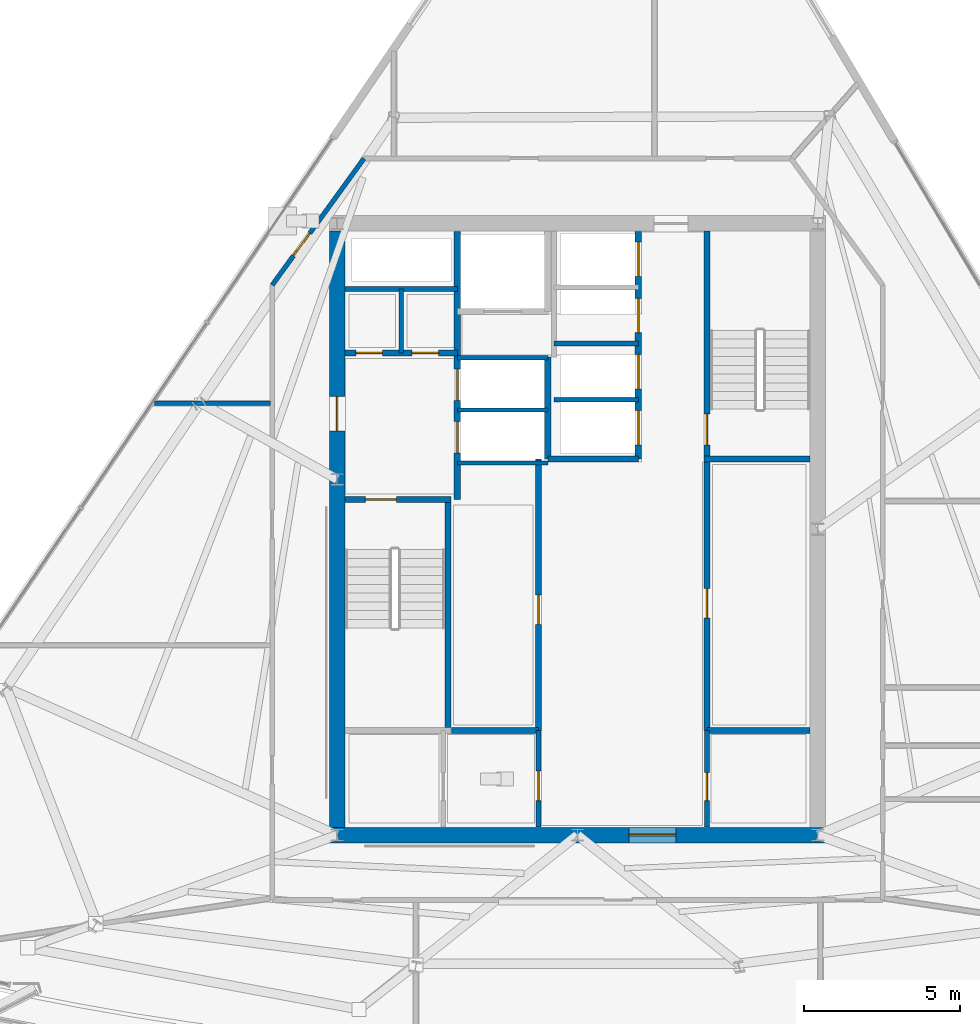
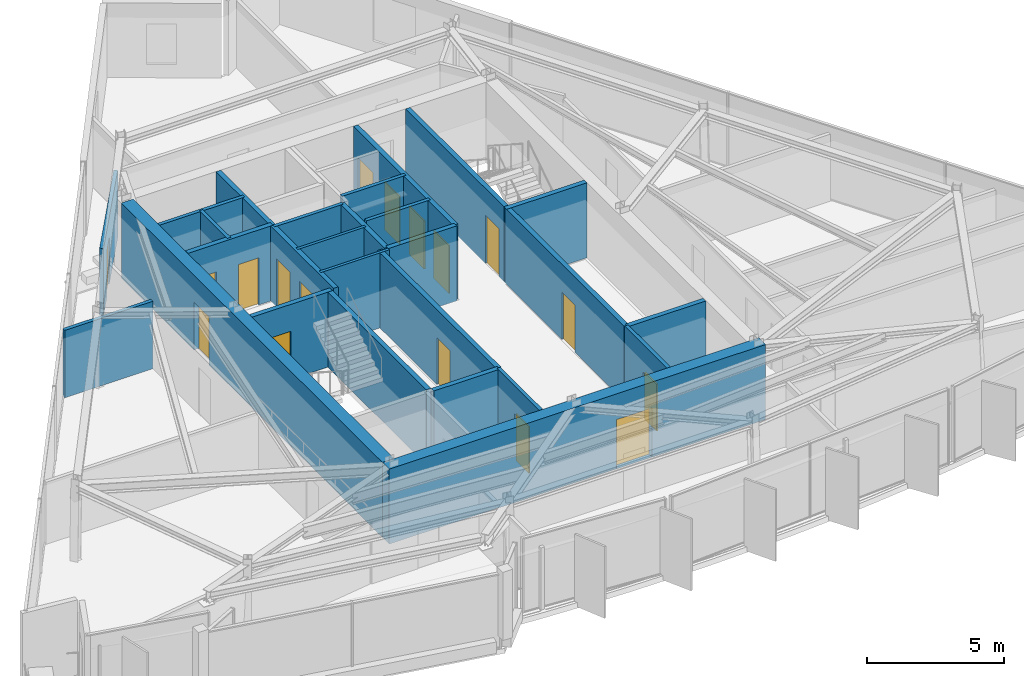
# One storey, part 7 of 13: 26 walls, 17 doors, 17 openings.
"""IFC4 building model written with IfcOpenShell, lengths in metres."""

from ifc_helpers import new_model, si_unit, direction, frame, frame_2d, origin, place, context, subcontext, project, spatial, rectangle, extrude, material, layer, layer_set, type_object, element, fill, save


model = new_model("IFC4")

# Units and contexts
model_context = context("Model", 3, precision=1e-05, world=origin(), true_north=direction((0.0, 1.0)))
body_context = subcontext(model_context, "Body", "Model", "MODEL_VIEW")
ifc_project = project(units=[si_unit("LENGTHUNIT", "METRE"), si_unit("AREAUNIT", "SQUARE_METRE"), si_unit("VOLUMEUNIT", "CUBIC_METRE"), si_unit("PLANEANGLEUNIT", "RADIAN"), si_unit("MASSUNIT", "GRAM", prefix="KILO")], contexts=[model_context])

# Site, building, storey
site_placement = place(None, origin())
site = spatial("IfcSite", under=ifc_project, at=site_placement, CompositionType="ELEMENT")
building_placement = place(site_placement, origin())
building = spatial("IfcBuilding", under=site, at=building_placement, Name="Savorim Split Tower", CompositionType="ELEMENT")
storey_placement = place(building_placement, frame((0.0, 0.0, 272.39990234375)))
storey = spatial("IfcBuildingStorey", under=building, at=storey_placement, Name="L72", CompositionType="ELEMENT", Elevation=272.39990234375)

# Wall, opening, door
ifc_material_1 = material(Name="Concrete C60/75", Category="concrete")
ifc_layer_1 = layer(ifc_material_1, 0.5)
ifc_layer_set_1 = layer_set([ifc_layer_1], Name="WAL-COR-SH500")
wall_type_1 = type_object("IfcWallType", Name="WAL-COR-SH500", PredefinedType="SHEAR", material=ifc_layer_set_1)
wall_1_placement = place(storey_placement, frame((-7.949951171875, -9.39990234375, 0.0), z_axis=(0.0, 0.0, 1.0), x_axis=(1.0, 0.0, 0.0)))
wall_1 = element("IfcWall", 1, at=wall_1_placement, inside=storey, type_object=wall_type_1, Name="L72 Offset Core South Shear Wall", PredefinedType="SHEAR", context=body_context, shape_type="SweptSolid", body=[
    extrude(rectangle(XDim=15.89990234375, YDim=0.5, at=frame_2d((7.949951171875, 0.0))), origin(), (0.0, 0.0, 1.0), 3.35009765625),
])
opening_1_placement = place(wall_1_placement, frame((9.60009765625, 0.0, 0.0)))
opening_1 = element("IfcOpeningElement", 2, at=opening_1_placement, cuts=wall_1, Name="Opening DI-02", PredefinedType="OPENING", context=body_context, shape_type="SweptSolid", body=[
    extrude(rectangle(XDim=1.5, YDim=2.199951171875, at=frame_2d((0.75, 1.10009765625))), frame((0.0, 0.260009765625, 0.0), z_axis=(0.0, -1.0, 0.0), x_axis=(1.0, 0.0, 0.0)), (0.0, 0.0, 1.0), 0.52001953125),
])
ifc_material_2 = material(Name="Timber Fire Door Leaf", Category="wood")
door_type_1 = type_object("IfcDoorType", Name="DOR-DBL-1500", OperationType="NOTDEFINED", PredefinedType="DOOR", material=ifc_material_2)
door_1_placement = place(opening_1_placement, origin())
door_1 = element("IfcDoor", 3, at=door_1_placement, inside=storey, type_object=door_type_1, Name="DOR-L72-COR-LLOB - L72 Lift Lobby Main Rated Door", OperationType="DOUBLE_DOOR_SINGLE_SWING", OverallHeight=2.199951171875, OverallWidth=1.5, PredefinedType="DOOR", context=body_context, shape_type="SweptSolid", body=[
    extrude(rectangle(XDim=1.5, YDim=2.199951171875, at=frame_2d((0.75, 1.10009765625))), frame((0.0, 0.02490234375, 0.0), z_axis=(0.0, -1.0, 0.0), x_axis=(1.0, 0.0, 0.0)), (0.0, 0.0, 1.0), 0.050048828125),
])
fill(opening_1, door_1)

wall_2_placement = place(storey_placement, frame((-7.699951171875, -9.14990234375, 0.0), z_axis=(0.0, 0.0, 1.0), x_axis=(0.0, 1.0, 0.0)))
wall_2 = element("IfcWall", 4, at=wall_2_placement, inside=storey, type_object=wall_type_1, Name="L72 Offset Core West Shear Wall", PredefinedType="SHEAR", context=body_context, shape_type="SweptSolid", body=[
    extrude(rectangle(XDim=19.099853515625, YDim=0.5, at=frame_2d((9.5498046875, 0.0))), origin(), (0.0, 0.0, 1.0), 3.35009765625),
])
opening_2_placement = place(wall_2_placement, frame((12.699951171875, 0.0, 0.0)))
opening_2 = element("IfcOpeningElement", 5, at=opening_2_placement, cuts=wall_2, Name="Opening DI-03", PredefinedType="OPENING", context=body_context, shape_type="SweptSolid", body=[
    extrude(rectangle(XDim=1.10009765625, YDim=2.14990234375, at=frame_2d((0.550048828125, 1.074951171875))), frame((0.0, 0.260009765625, 0.0), z_axis=(0.0, -1.0, 0.0), x_axis=(1.0, 0.0, 0.0)), (0.0, 0.0, 1.0), 0.52001953125),
])
door_type_2 = type_object("IfcDoorType", Name="DOR-FIR-1100", OperationType="NOTDEFINED", PredefinedType="DOOR", material=ifc_material_2)
door_2_placement = place(opening_2_placement, origin())
door_2 = element("IfcDoor", 6, at=door_2_placement, inside=storey, type_object=door_type_2, Name="DOR-L72-COR-FFLOB - L72 Firefighting Lobby Corridor Door", OperationType="SINGLE_SWING_RIGHT", OverallHeight=2.14990234375, OverallWidth=1.10009765625, PredefinedType="DOOR", context=body_context, shape_type="SweptSolid", body=[
    extrude(rectangle(XDim=1.10009765625, YDim=2.14990234375, at=frame_2d((0.550048828125, 1.074951171875))), frame((0.0, 0.02490234375, 0.0), z_axis=(0.0, -1.0, 0.0), x_axis=(1.0, 0.0, 0.0)), (0.0, 0.0, 1.0), 0.050048828125),
])
fill(opening_2, door_2)

ifc_material_3 = material(Name="Concrete C50/60", Category="concrete")
ifc_layer_2 = layer(ifc_material_3, 0.199951171875)
ifc_layer_set_2 = layer_set([ifc_layer_2], Name="WAL-INT-RC200")
wall_type_2 = type_object("IfcWallType", Name="WAL-INT-RC200", PredefinedType="SOLIDWALL", material=ifc_layer_set_2)
wall_3_placement = place(storey_placement, frame((-7.449951171875, 1.35009765625, 0.0), z_axis=(0.0, 0.0, 1.0), x_axis=(1.0, 0.0, 0.0)))
wall_3 = element("IfcWall", 7, at=wall_3_placement, inside=storey, type_object=wall_type_2, Name="L72 Structural Shaft Wall W-L72-CR01", PredefinedType="SOLIDWALL", context=body_context, shape_type="SweptSolid", body=[
    extrude(rectangle(XDim=3.39990234375, YDim=0.199951171875, at=frame_2d((1.699951171875, 0.0))), origin(), (0.0, 0.0, 1.0), 3.35009765625),
])
opening_3_placement = place(wall_3_placement, frame((0.64990234375, 0.0, 0.0)))
opening_3 = element("IfcOpeningElement", 8, at=opening_3_placement, cuts=wall_3, Name="Opening DI-04", PredefinedType="OPENING", context=body_context, shape_type="SweptSolid", body=[
    extrude(rectangle(XDim=1.0, YDim=2.14990234375, at=frame_2d((0.5, 1.074951171875))), frame((0.0, 0.10986328125, 0.0), z_axis=(0.0, -1.0, 0.0), x_axis=(1.0, 0.0, 0.0)), (0.0, 0.0, 1.0), 0.219970703125),
])
door_type_3 = type_object("IfcDoorType", Name="DOR-FIR-1000", OperationType="NOTDEFINED", PredefinedType="DOOR", material=ifc_material_2)
door_3_placement = place(opening_3_placement, origin())
door_3 = element("IfcDoor", 9, at=door_3_placement, inside=storey, type_object=door_type_3, Name="DR-L72-ST1 - L72 Stair ST-1 Enclosure Door", OperationType="SINGLE_SWING_LEFT", OverallHeight=2.14990234375, OverallWidth=1.0, PredefinedType="DOOR", context=body_context, shape_type="SweptSolid", body=[
    extrude(rectangle(XDim=1.0, YDim=2.14990234375, at=frame_2d((0.5, 1.074951171875))), frame((0.0, 0.02490234375, 0.0), z_axis=(0.0, -1.0, 0.0), x_axis=(1.0, 0.0, 0.0)), (0.0, 0.0, 1.0), 0.050048828125),
])
fill(opening_3, door_3)

# Wall
wall_4_placement = place(storey_placement, frame((-4.14990234375, -5.949951171875, 0.0), z_axis=(0.0, 0.0, 1.0), x_axis=(0.0, 1.0, 0.0)))
element("IfcWall", 10, at=wall_4_placement, inside=storey, type_object=wall_type_2, Name="L72 Structural Shaft Wall W-L72-CR02", PredefinedType="SOLIDWALL", context=body_context, shape_type="SweptSolid", body=[
    extrude(rectangle(XDim=7.199951171875, YDim=0.199951171875, at=frame_2d((3.60009765625, 0.0))), origin(), (0.0, 0.0, 1.0), 3.35009765625),
])

# Wall, openings, doors
wall_5_placement = place(storey_placement, frame((-3.85009765625, 1.35009765625, 0.0), z_axis=(0.0, 0.0, 1.0), x_axis=(0.0, 1.0, 0.0)))
wall_5 = element("IfcWall", 11, at=wall_5_placement, inside=storey, type_object=wall_type_2, Name="L72 Partition W-L72-CR03", PredefinedType="SOLIDWALL", context=body_context, shape_type="SweptSolid", body=[
    extrude(rectangle(XDim=8.594970703125, YDim=0.199951171875, at=frame_2d((4.29736328125, 0.0))), origin(), (0.0, 0.0, 1.0), 3.35009765625),
])
opening_4_placement = place(wall_5_placement, frame((1.5, 0.0, 0.0)))
opening_4 = element("IfcOpeningElement", 12, at=opening_4_placement, cuts=wall_5, Name="Opening LD-FFL", PredefinedType="OPENING", context=body_context, shape_type="SweptSolid", body=[
    extrude(rectangle(XDim=1.0, YDim=2.14990234375, at=frame_2d((0.5, 1.074951171875))), frame((0.0, 0.10986328125, 0.0), z_axis=(0.0, -1.0, 0.0), x_axis=(1.0, 0.0, 0.0)), (0.0, 0.0, 1.0), 0.219970703125),
])
opening_5_placement = place(wall_5_placement, frame((3.179931640625, 0.0, 0.0)))
opening_5 = element("IfcOpeningElement", 13, at=opening_5_placement, cuts=wall_5, Name="Opening LD-FFL", PredefinedType="OPENING", context=body_context, shape_type="SweptSolid", body=[
    extrude(rectangle(XDim=1.0, YDim=2.14990234375, at=frame_2d((0.5, 1.074951171875))), frame((0.0, 0.10986328125, 0.0), z_axis=(0.0, -1.0, 0.0), x_axis=(1.0, 0.0, 0.0)), (0.0, 0.0, 1.0), 0.219970703125),
])
ifc_material_4 = material(Name="Charcoal Anodised Aluminium", Category="aluminium")
door_type_4 = type_object("IfcDoorType", Name="DOR-SLD-LD1000", OperationType="NOTDEFINED", PredefinedType="DOOR", material=ifc_material_4)
door_4_placement = place(opening_4_placement, origin())
door_4 = element("IfcDoor", 14, at=door_4_placement, inside=storey, type_object=door_type_4, Name="DR-L72-LD-FFL1 - L72 Firefighting Lift FFL-1 Sliding Landing Door", OperationType="DOUBLE_DOOR_SLIDING", OverallHeight=2.14990234375, OverallWidth=1.0, PredefinedType="DOOR", context=body_context, shape_type="SweptSolid", body=[
    extrude(rectangle(XDim=1.0, YDim=2.14990234375, at=frame_2d((0.5, 1.074951171875))), frame((0.0, 0.02490234375, 0.0), z_axis=(0.0, -1.0, 0.0), x_axis=(1.0, 0.0, 0.0)), (0.0, 0.0, 1.0), 0.050048828125),
])
fill(opening_4, door_4)
door_5_placement = place(opening_5_placement, origin())
door_5 = element("IfcDoor", 15, at=door_5_placement, inside=storey, type_object=door_type_4, Name="DR-L72-LD-FFL2 - L72 Firefighting Lift FFL-2 Sliding Landing Door", OperationType="DOUBLE_DOOR_SLIDING", OverallHeight=2.14990234375, OverallWidth=1.0, PredefinedType="DOOR", context=body_context, shape_type="SweptSolid", body=[
    extrude(rectangle(XDim=1.0, YDim=2.14990234375, at=frame_2d((0.5, 1.074951171875))), frame((0.0, 0.02490234375, 0.0), z_axis=(0.0, -1.0, 0.0), x_axis=(1.0, 0.0, 0.0)), (0.0, 0.0, 1.0), 0.050048828125),
])
fill(opening_5, door_5)

wall_6_placement = place(storey_placement, frame((-7.445068359375, 6.050048828125, 0.0), z_axis=(0.0, 0.0, 1.0), x_axis=(1.0, 0.0, 0.0)))
wall_6 = element("IfcWall", 16, at=wall_6_placement, inside=storey, type_object=wall_type_2, Name="L72 Partition W-L72-CR04", PredefinedType="SOLIDWALL", context=body_context, shape_type="SweptSolid", body=[
    extrude(rectangle(XDim=3.594970703125, YDim=0.199951171875, at=frame_2d((1.79736328125, 0.0))), origin(), (0.0, 0.0, 1.0), 3.35009765625),
])
opening_6_placement = place(wall_6_placement, frame((0.344970703125, 0.0, 0.0)))
opening_6 = element("IfcOpeningElement", 17, at=opening_6_placement, cuts=wall_6, Name="Opening DI-12", PredefinedType="OPENING", context=body_context, shape_type="SweptSolid", body=[
    extrude(rectangle(XDim=0.85009765625, YDim=2.10009765625, at=frame_2d((0.425048828125, 1.050048828125))), frame((0.0, 0.10986328125, 0.0), z_axis=(0.0, -1.0, 0.0), x_axis=(1.0, 0.0, 0.0)), (0.0, 0.0, 1.0), 0.219970703125),
])
opening_7_placement = place(wall_6_placement, frame((2.14501953125, 0.0, 0.0)))
opening_7 = element("IfcOpeningElement", 18, at=opening_7_placement, cuts=wall_6, Name="Opening DI-12", PredefinedType="OPENING", context=body_context, shape_type="SweptSolid", body=[
    extrude(rectangle(XDim=0.85009765625, YDim=2.10009765625, at=frame_2d((0.425048828125, 1.050048828125))), frame((0.0, 0.10986328125, 0.0), z_axis=(0.0, -1.0, 0.0), x_axis=(1.0, 0.0, 0.0)), (0.0, 0.0, 1.0), 0.219970703125),
])
ifc_material_5 = material(Name="Galvanised Painted Steel Balustrade", Category="steel")
door_type_5 = type_object("IfcDoorType", Name="DOR-RIS-850", OperationType="NOTDEFINED", PredefinedType="DOOR", material=ifc_material_5)
door_6_placement = place(opening_6_placement, origin())
door_6 = element("IfcDoor", 19, at=door_6_placement, inside=storey, type_object=door_type_5, Name="DR-L72-ELR - L72 Electrical Riser Access Door", OperationType="SINGLE_SWING_RIGHT", OverallHeight=2.10009765625, OverallWidth=0.85009765625, PredefinedType="DOOR", context=body_context, shape_type="SweptSolid", body=[
    extrude(rectangle(XDim=0.85009765625, YDim=2.10009765625, at=frame_2d((0.425048828125, 1.050048828125))), frame((0.0, 0.02490234375, 0.0), z_axis=(0.0, -1.0, 0.0), x_axis=(1.0, 0.0, 0.0)), (0.0, 0.0, 1.0), 0.050048828125),
])
fill(opening_6, door_6)
door_7_placement = place(opening_7_placement, origin())
door_7 = element("IfcDoor", 20, at=door_7_placement, inside=storey, type_object=door_type_5, Name="DR-L72-TLR - L72 Telecom Riser Access Door", OperationType="SINGLE_SWING_LEFT", OverallHeight=2.10009765625, OverallWidth=0.85009765625, PredefinedType="DOOR", context=body_context, shape_type="SweptSolid", body=[
    extrude(rectangle(XDim=0.85009765625, YDim=2.10009765625, at=frame_2d((0.425048828125, 1.050048828125))), frame((0.0, 0.02490234375, 0.0), z_axis=(0.0, -1.0, 0.0), x_axis=(1.0, 0.0, 0.0)), (0.0, 0.0, 1.0), 0.050048828125),
])
fill(opening_7, door_7)

# Wall, opening, door
wall_7_placement = place(storey_placement, frame((4.14990234375, 2.75, 0.0), z_axis=(0.0, 0.0, 1.0), x_axis=(0.0, 1.0, 0.0)))
wall_7 = element("IfcWall", 21, at=wall_7_placement, inside=storey, type_object=wall_type_2, Name="L72 Structural Shaft Wall W-L72-CR07", PredefinedType="SOLIDWALL", context=body_context, shape_type="SweptSolid", body=[
    extrude(rectangle(XDim=7.199951171875, YDim=0.199951171875, at=frame_2d((3.60009765625, 0.0))), origin(), (0.0, 0.0, 1.0), 3.35009765625),
])
opening_8_placement = place(wall_7_placement, frame((0.35009765625, 0.0, 0.0)))
opening_8 = element("IfcOpeningElement", 22, at=opening_8_placement, cuts=wall_7, Name="Opening DI-04", PredefinedType="OPENING", context=body_context, shape_type="SweptSolid", body=[
    extrude(rectangle(XDim=1.0, YDim=2.14990234375, at=frame_2d((0.5, 1.074951171875))), frame((0.0, 0.10986328125, 0.0), z_axis=(0.0, -1.0, 0.0), x_axis=(1.0, 0.0, 0.0)), (0.0, 0.0, 1.0), 0.219970703125),
])
door_8_placement = place(opening_8_placement, origin())
door_8 = element("IfcDoor", 23, at=door_8_placement, inside=storey, type_object=door_type_3, Name="DR-L72-ST2 - L72 Stair ST-2 Enclosure Door", OperationType="SINGLE_SWING_RIGHT", OverallHeight=2.14990234375, OverallWidth=1.0, PredefinedType="DOOR", context=body_context, shape_type="SweptSolid", body=[
    extrude(rectangle(XDim=1.0, YDim=2.14990234375, at=frame_2d((0.5, 1.074951171875))), frame((0.0, 0.02490234375, 0.0), z_axis=(0.0, -1.0, 0.0), x_axis=(1.0, 0.0, 0.0)), (0.0, 0.0, 1.0), 0.050048828125),
])
fill(opening_8, door_8)

# Walls
wall_8_placement = place(storey_placement, frame((4.050048828125, 2.64990234375, 0.0), z_axis=(0.0, 0.0, 1.0), x_axis=(1.0, 0.0, 0.0)))
element("IfcWall", 24, at=wall_8_placement, inside=storey, type_object=wall_type_2, Name="L72 Structural Shaft Wall W-L72-CR08", PredefinedType="SOLIDWALL", context=body_context, shape_type="SweptSolid", body=[
    extrude(rectangle(XDim=3.39990234375, YDim=0.199951171875, at=frame_2d((1.699951171875, 0.0))), origin(), (0.0, 0.0, 1.0), 3.35009765625),
])
wall_9_placement = place(storey_placement, frame((-0.949951171875, 2.64990234375, 0.0), z_axis=(0.0, 0.0, 1.0), x_axis=(0.0, 1.0, 0.0)))
element("IfcWall", 25, at=wall_9_placement, inside=storey, type_object=wall_type_2, Name="L72 Partition W-L72-FFLW", PredefinedType="SOLIDWALL", context=body_context, shape_type="SweptSolid", body=[
    extrude(rectangle(XDim=3.27001953125, YDim=0.199951171875, at=frame_2d((1.635009765625, 0.0))), origin(), (0.0, 0.0, 1.0), 3.35009765625),
])

# Wall, opening, door
wall_10_placement = place(storey_placement, frame((4.14990234375, -6.050048828125, 0.0), z_axis=(0.0, 0.0, 1.0), x_axis=(0.0, 1.0, 0.0)))
wall_10 = element("IfcWall", 26, at=wall_10_placement, inside=storey, type_object=wall_type_2, Name="L72 Partition W-L72-B1FRONT", PredefinedType="SOLIDWALL", context=body_context, shape_type="SweptSolid", body=[
    extrude(rectangle(XDim=8.699951171875, YDim=0.199951171875, at=frame_2d((4.35009765625, 0.0))), origin(), (0.0, 0.0, 1.0), 3.35009765625),
])
opening_9_placement = place(wall_10_placement, frame((3.60009765625, 0.0, 0.0)))
opening_9 = element("IfcOpeningElement", 27, at=opening_9_placement, cuts=wall_10, Name="Opening DI-05", PredefinedType="OPENING", context=body_context, shape_type="SweptSolid", body=[
    extrude(rectangle(XDim=0.949951171875, YDim=2.10009765625, at=frame_2d((0.47509765625, 1.050048828125))), frame((0.0, 0.10986328125, 0.0), z_axis=(0.0, -1.0, 0.0), x_axis=(1.0, 0.0, 0.0)), (0.0, 0.0, 1.0), 0.219970703125),
])
door_type_6 = type_object("IfcDoorType", Name="DOR-FIR-950", OperationType="NOTDEFINED", PredefinedType="DOOR", material=ifc_material_2)
door_9_placement = place(opening_9_placement, origin())
door_9 = element("IfcDoor", 28, at=door_9_placement, inside=storey, type_object=door_type_6, Name="DR-L72-LV7B1 - L72 Shared Pantry and Linen Room Door", OperationType="SINGLE_SWING_RIGHT", OverallHeight=2.10009765625, OverallWidth=0.949951171875, PredefinedType="DOOR", context=body_context, shape_type="SweptSolid", body=[
    extrude(rectangle(XDim=0.949951171875, YDim=2.10009765625, at=frame_2d((0.47509765625, 1.050048828125))), frame((0.0, 0.02490234375, 0.0), z_axis=(0.0, -1.0, 0.0), x_axis=(1.0, 0.0, 0.0)), (0.0, 0.0, 1.0), 0.050048828125),
])
fill(opening_9, door_9)

wall_11_placement = place(storey_placement, frame((-1.25, -6.050048828125, 0.0), z_axis=(0.0, 0.0, 1.0), x_axis=(0.0, 1.0, 0.0)))
wall_11 = element("IfcWall", 29, at=wall_11_placement, inside=storey, type_object=wall_type_2, Name="L72 Partition W-L72-B2FRONT", PredefinedType="SOLIDWALL", context=body_context, shape_type="SweptSolid", body=[
    extrude(rectangle(XDim=8.699951171875, YDim=0.199951171875, at=frame_2d((4.35009765625, 0.0))), origin(), (0.0, 0.0, 1.0), 3.35009765625),
])
opening_10_placement = place(wall_11_placement, frame((3.39990234375, 0.0, 0.0)))
opening_10 = element("IfcOpeningElement", 30, at=opening_10_placement, cuts=wall_11, Name="Opening DI-05", PredefinedType="OPENING", context=body_context, shape_type="SweptSolid", body=[
    extrude(rectangle(XDim=0.949951171875, YDim=2.10009765625, at=frame_2d((0.47509765625, 1.050048828125))), frame((0.0, 0.10986328125, 0.0), z_axis=(0.0, -1.0, 0.0), x_axis=(1.0, 0.0, 0.0)), (0.0, 0.0, 1.0), 0.219970703125),
])
door_10_placement = place(opening_10_placement, origin())
door_10 = element("IfcDoor", 31, at=door_10_placement, inside=storey, type_object=door_type_6, Name="DR-L72-LV7B2 - L72 Housekeeping and Parcel Room Door", OperationType="SINGLE_SWING_LEFT", OverallHeight=2.10009765625, OverallWidth=0.949951171875, PredefinedType="DOOR", context=body_context, shape_type="SweptSolid", body=[
    extrude(rectangle(XDim=0.949951171875, YDim=2.10009765625, at=frame_2d((0.47509765625, 1.050048828125))), frame((0.0, 0.02490234375, 0.0), z_axis=(0.0, -1.0, 0.0), x_axis=(1.0, 0.0, 0.0)), (0.0, 0.0, 1.0), 0.050048828125),
])
fill(opening_10, door_10)

# Wall, openings, doors
wall_12_placement = place(storey_placement, frame((1.949951171875, 2.64990234375, 0.0), z_axis=(0.0, 0.0, 1.0), x_axis=(0.0, 1.0, 0.0)))
wall_12 = element("IfcWall", 32, at=wall_12_placement, inside=storey, type_object=wall_type_2, Name="L72 Partition W-L72-B3FRONT", PredefinedType="SOLIDWALL", context=body_context, shape_type="SweptSolid", body=[
    extrude(rectangle(XDim=7.295166015625, YDim=0.199951171875, at=frame_2d((3.6474609375, 0.0))), origin(), (0.0, 0.0, 1.0), 3.35009765625),
])
opening_11_placement = place(wall_12_placement, frame((0.449951171875, 0.0, 0.0)))
opening_11 = element("IfcOpeningElement", 33, at=opening_11_placement, cuts=wall_12, Name="Opening LD-03", PredefinedType="OPENING", context=body_context, shape_type="SweptSolid", body=[
    extrude(rectangle(XDim=1.10009765625, YDim=2.14990234375, at=frame_2d((0.550048828125, 1.074951171875))), frame((0.0, 0.10986328125, 0.0), z_axis=(0.0, -1.0, 0.0), x_axis=(1.0, 0.0, 0.0)), (0.0, 0.0, 1.0), 0.219970703125),
])
opening_12_placement = place(wall_12_placement, frame((2.25, 0.0, 0.0)))
opening_12 = element("IfcOpeningElement", 34, at=opening_12_placement, cuts=wall_12, Name="Opening LD-03", PredefinedType="OPENING", context=body_context, shape_type="SweptSolid", body=[
    extrude(rectangle(XDim=1.10009765625, YDim=2.14990234375, at=frame_2d((0.550048828125, 1.074951171875))), frame((0.0, 0.10986328125, 0.0), z_axis=(0.0, -1.0, 0.0), x_axis=(1.0, 0.0, 0.0)), (0.0, 0.0, 1.0), 0.219970703125),
])
opening_13_placement = place(wall_12_placement, frame((4.050048828125, 0.0, 0.0)))
opening_13 = element("IfcOpeningElement", 35, at=opening_13_placement, cuts=wall_12, Name="Opening LD-03", PredefinedType="OPENING", context=body_context, shape_type="SweptSolid", body=[
    extrude(rectangle(XDim=1.10009765625, YDim=2.14990234375, at=frame_2d((0.550048828125, 1.074951171875))), frame((0.0, 0.10986328125, 0.0), z_axis=(0.0, -1.0, 0.0), x_axis=(1.0, 0.0, 0.0)), (0.0, 0.0, 1.0), 0.219970703125),
])
opening_14_placement = place(wall_12_placement, frame((5.85009765625, 0.0, 0.0)))
opening_14 = element("IfcOpeningElement", 36, at=opening_14_placement, cuts=wall_12, Name="Opening LD-03", PredefinedType="OPENING", context=body_context, shape_type="SweptSolid", body=[
    extrude(rectangle(XDim=1.10009765625, YDim=2.14990234375, at=frame_2d((0.550048828125, 1.074951171875))), frame((0.0, 0.10986328125, 0.0), z_axis=(0.0, -1.0, 0.0), x_axis=(1.0, 0.0, 0.0)), (0.0, 0.0, 1.0), 0.219970703125),
])
door_type_7 = type_object("IfcDoorType", Name="DOR-SLD-LDH1100", OperationType="NOTDEFINED", PredefinedType="DOOR", material=ifc_material_4)
door_11_placement = place(opening_11_placement, origin())
door_11 = element("IfcDoor", 37, at=door_11_placement, inside=storey, type_object=door_type_7, Name="DR-L72-LD-PLH1 - L72 Lift PL-H1 Sliding Landing Door", OperationType="DOUBLE_DOOR_SLIDING", OverallHeight=2.14990234375, OverallWidth=1.10009765625, PredefinedType="DOOR", context=body_context, shape_type="SweptSolid", body=[
    extrude(rectangle(XDim=1.10009765625, YDim=2.14990234375, at=frame_2d((0.550048828125, 1.074951171875))), frame((0.0, 0.02490234375, 0.0), z_axis=(0.0, -1.0, 0.0), x_axis=(1.0, 0.0, 0.0)), (0.0, 0.0, 1.0), 0.050048828125),
])
fill(opening_11, door_11)
door_12_placement = place(opening_12_placement, origin())
door_12 = element("IfcDoor", 38, at=door_12_placement, inside=storey, type_object=door_type_7, Name="DR-L72-LD-PLH2 - L72 Lift PL-H2 Sliding Landing Door", OperationType="DOUBLE_DOOR_SLIDING", OverallHeight=2.14990234375, OverallWidth=1.10009765625, PredefinedType="DOOR", context=body_context, shape_type="SweptSolid", body=[
    extrude(rectangle(XDim=1.10009765625, YDim=2.14990234375, at=frame_2d((0.550048828125, 1.074951171875))), frame((0.0, 0.02490234375, 0.0), z_axis=(0.0, -1.0, 0.0), x_axis=(1.0, 0.0, 0.0)), (0.0, 0.0, 1.0), 0.050048828125),
])
fill(opening_12, door_12)
door_13_placement = place(opening_13_placement, origin())
door_13 = element("IfcDoor", 39, at=door_13_placement, inside=storey, type_object=door_type_7, Name="DR-L72-LD-PLH3 - L72 Lift PL-H3 Sliding Landing Door", OperationType="DOUBLE_DOOR_SLIDING", OverallHeight=2.14990234375, OverallWidth=1.10009765625, PredefinedType="DOOR", context=body_context, shape_type="SweptSolid", body=[
    extrude(rectangle(XDim=1.10009765625, YDim=2.14990234375, at=frame_2d((0.550048828125, 1.074951171875))), frame((0.0, 0.02490234375, 0.0), z_axis=(0.0, -1.0, 0.0), x_axis=(1.0, 0.0, 0.0)), (0.0, 0.0, 1.0), 0.050048828125),
])
fill(opening_13, door_13)
door_14_placement = place(opening_14_placement, origin())
door_14 = element("IfcDoor", 40, at=door_14_placement, inside=storey, type_object=door_type_7, Name="DR-L72-LD-PLH4 - L72 Lift PL-H4 Sliding Landing Door", OperationType="DOUBLE_DOOR_SLIDING", OverallHeight=2.14990234375, OverallWidth=1.10009765625, PredefinedType="DOOR", context=body_context, shape_type="SweptSolid", body=[
    extrude(rectangle(XDim=1.10009765625, YDim=2.14990234375, at=frame_2d((0.550048828125, 1.074951171875))), frame((0.0, 0.02490234375, 0.0), z_axis=(0.0, -1.0, 0.0), x_axis=(1.0, 0.0, 0.0)), (0.0, 0.0, 1.0), 0.050048828125),
])
fill(opening_14, door_14)

# Walls
wall_13_placement = place(storey_placement, frame((-0.949951171875, 2.64990234375, 0.0), z_axis=(0.0, 0.0, 1.0), x_axis=(1.0, 0.0, 0.0)))
element("IfcWall", 41, at=wall_13_placement, inside=storey, type_object=wall_type_2, Name="L72 Partition W-L72-B3SOUTH", PredefinedType="SOLIDWALL", context=body_context, shape_type="SweptSolid", body=[
    extrude(rectangle(XDim=2.89990234375, YDim=0.199951171875, at=frame_2d((1.449951171875, 0.0))), origin(), (0.0, 0.0, 1.0), 3.35009765625),
])
wall_14_placement = place(storey_placement, frame((-4.0400390625, -6.050048828125, 0.0), z_axis=(0.0, 0.0, 1.0), x_axis=(1.0, 0.0, 0.0)))
element("IfcWall", 42, at=wall_14_placement, inside=storey, type_object=wall_type_2, Name="L72 Partition W-L72-KSEP-W2", PredefinedType="SOLIDWALL", context=body_context, shape_type="SweptSolid", body=[
    extrude(rectangle(XDim=2.7900390625, YDim=0.199951171875, at=frame_2d((1.39501953125, 0.0))), origin(), (0.0, 0.0, 1.0), 3.35009765625),
])
wall_15_placement = place(storey_placement, frame((4.14990234375, -6.050048828125, 0.0), z_axis=(0.0, 0.0, 1.0), x_axis=(1.0, 0.0, 0.0)))
element("IfcWall", 43, at=wall_15_placement, inside=storey, type_object=wall_type_2, Name="L72 Partition W-L72-KSEP-E", PredefinedType="SOLIDWALL", context=body_context, shape_type="SweptSolid", body=[
    extrude(rectangle(XDim=3.295166015625, YDim=0.199951171875, at=frame_2d((1.6474609375, 0.0))), origin(), (0.0, 0.0, 1.0), 3.35009765625),
])
ifc_material_6 = material(Name="Acoustic Gypsum Partition Board")
ifc_layer_3 = layer(ifc_material_6, 0.1201171875)
ifc_layer_set_3 = layer_set([ifc_layer_3], Name="WAL-PAR-120")
wall_type_3 = type_object("IfcWallType", Name="WAL-PAR-120", PredefinedType="PARTITIONING", material=ifc_layer_set_3)
for number, where, z_axis, x_axis, name in (
    (44, (-3.85009765625, 2.52001953125, 0.0), (0.0, 0.0, 1.0), (1.0, 0.0, 0.0), "L72 Partition W-L72-FFLD0"),
    (45, (-3.85009765625, 4.219970703125, 0.0), (0.0, 0.0, 1.0), (1.0, 0.0, 0.0), "L72 Partition W-L72-FFLD1"),
):
    element("IfcWall", number, at=place(storey_placement, frame(where, z_axis=z_axis, x_axis=x_axis)), inside=storey, type_object=wall_type_3, Name=name, PredefinedType="PARTITIONING", context=body_context, shape_type="SweptSolid", body=[
        extrude(rectangle(XDim=2.900146484375, YDim=0.1201171875, at=frame_2d((1.4501953125, 0.0))), origin(), (0.0, 0.0, 1.0), 3.35009765625),
    ])
ifc_layer_4 = layer(ifc_material_6, 0.14990234375)
ifc_layer_set_4 = layer_set([ifc_layer_4], Name="WAL-PAR-150")
wall_type_4 = type_object("IfcWallType", Name="WAL-PAR-150", PredefinedType="PARTITIONING", material=ifc_layer_set_4)
wall_16_placement = place(storey_placement, frame((-7.445068359375, 8.10009765625, 0.0), z_axis=(0.0, 0.0, 1.0), x_axis=(1.0, 0.0, 0.0)))
element("IfcWall", 46, at=wall_16_placement, inside=storey, type_object=wall_type_4, Name="L72 Partition W-L72-CR05", PredefinedType="PARTITIONING", context=body_context, shape_type="SweptSolid", body=[
    extrude(rectangle(XDim=3.594970703125, YDim=0.14990234375, at=frame_2d((1.79736328125, 0.0))), origin(), (0.0, 0.0, 1.0), 3.35009765625),
])
wall_17_placement = place(storey_placement, frame((-5.64990234375, 6.050048828125, 0.0), z_axis=(0.0, 0.0, 1.0), x_axis=(0.0, 1.0, 0.0)))
element("IfcWall", 47, at=wall_17_placement, inside=storey, type_object=wall_type_4, Name="L72 Partition W-L72-CR06", PredefinedType="PARTITIONING", context=body_context, shape_type="SweptSolid", body=[
    extrude(rectangle(XDim=2.050048828125, YDim=0.14990234375, at=frame_2d((1.02490234375, 0.0))), origin(), (0.0, 0.0, 1.0), 3.35009765625),
])
wall_18_placement = place(storey_placement, frame((-3.85009765625, 5.89990234375, 0.0), z_axis=(0.0, 0.0, 1.0), x_axis=(1.0, 0.0, 0.0)))
element("IfcWall", 48, at=wall_18_placement, inside=storey, type_object=wall_type_4, Name="L72 Partition W-L72-FFLD2", PredefinedType="PARTITIONING", context=body_context, shape_type="SweptSolid", body=[
    extrude(rectangle(XDim=2.900146484375, YDim=0.14990234375, at=frame_2d((1.4501953125, 0.0))), origin(), (0.0, 0.0, 1.0), 3.35009765625),
])
for number, where, z_axis, x_axis, name in (
    (49, (-0.75, 4.550048828125, 0.0), (0.0, 0.0, 1.0), (1.0, 0.0, 0.0), "L72 Partition W-L72-B3DIV1"),
    (50, (-0.75, 6.35009765625, 0.0), (0.0, 0.0, 1.0), (1.0, 0.0, 0.0), "L72 Partition W-L72-B3DIV2"),
):
    element("IfcWall", number, at=place(storey_placement, frame(where, z_axis=z_axis, x_axis=x_axis)), inside=storey, type_object=wall_type_4, Name=name, PredefinedType="PARTITIONING", context=body_context, shape_type="SweptSolid", body=[
        extrude(rectangle(XDim=2.699951171875, YDim=0.14990234375, at=frame_2d((1.35009765625, 0.0))), origin(), (0.0, 0.0, 1.0), 3.35009765625),
    ])

# Wall, opening, door
wall_19_placement = place(storey_placement, frame((-1.25, -9.14501953125, 0.0), z_axis=(0.0, 0.0, 1.0), x_axis=(0.0, 1.0, 0.0)))
wall_19 = element("IfcWall", 51, at=wall_19_placement, inside=storey, type_object=wall_type_4, Name="L72 Partition W-L72-KLOB-W", PredefinedType="PARTITIONING", context=body_context, shape_type="SweptSolid", body=[
    extrude(rectangle(XDim=3.094970703125, YDim=0.14990234375, at=frame_2d((1.54736328125, 0.0))), origin(), (0.0, 0.0, 1.0), 3.35009765625),
])
opening_15_placement = place(wall_19_placement, frame((0.844970703125, 0.0, 0.0)))
opening_15 = element("IfcOpeningElement", 52, at=opening_15_placement, cuts=wall_19, Name="Opening DI-10", PredefinedType="OPENING", context=body_context, shape_type="SweptSolid", body=[
    extrude(rectangle(XDim=0.949951171875, YDim=2.10009765625, at=frame_2d((0.47509765625, 1.050048828125))), frame((0.0, 0.0849609375, 0.0), z_axis=(0.0, -1.0, 0.0), x_axis=(1.0, 0.0, 0.0)), (0.0, 0.0, 1.0), 0.169921875),
])
ifc_material_7 = material(Name="Oak Veneer Acoustic Door")
door_type_8 = type_object("IfcDoorType", Name="DOR-WC-950", OperationType="NOTDEFINED", PredefinedType="DOOR", material=ifc_material_7)
door_15_placement = place(opening_15_placement, origin())
door_15 = element("IfcDoor", 53, at=door_15_placement, inside=storey, type_object=door_type_8, Name="DR-L72-K1WC - L72 Core Accessible WC Door", OperationType="SINGLE_SWING_LEFT", OverallHeight=2.10009765625, OverallWidth=0.949951171875, PredefinedType="DOOR", context=body_context, shape_type="SweptSolid", body=[
    extrude(rectangle(XDim=0.949951171875, YDim=2.10009765625, at=frame_2d((0.47509765625, 1.050048828125))), frame((0.0, 0.02490234375, 0.0), z_axis=(0.0, -1.0, 0.0), x_axis=(1.0, 0.0, 0.0)), (0.0, 0.0, 1.0), 0.050048828125),
])
fill(opening_15, door_15)

wall_20_placement = place(storey_placement, frame((4.14990234375, -9.14501953125, 0.0), z_axis=(0.0, 0.0, 1.0), x_axis=(0.0, 1.0, 0.0)))
wall_20 = element("IfcWall", 54, at=wall_20_placement, inside=storey, type_object=wall_type_4, Name="L72 Partition W-L72-KLOB-E", PredefinedType="PARTITIONING", context=body_context, shape_type="SweptSolid", body=[
    extrude(rectangle(XDim=3.094970703125, YDim=0.14990234375, at=frame_2d((1.54736328125, 0.0))), origin(), (0.0, 0.0, 1.0), 3.35009765625),
])
opening_16_placement = place(wall_20_placement, frame((0.844970703125, 0.0, 0.0)))
opening_16 = element("IfcOpeningElement", 55, at=opening_16_placement, cuts=wall_20, Name="Opening DI-06", PredefinedType="OPENING", context=body_context, shape_type="SweptSolid", body=[
    extrude(rectangle(XDim=0.89990234375, YDim=2.10009765625, at=frame_2d((0.449951171875, 1.050048828125))), frame((0.0, 0.0849609375, 0.0), z_axis=(0.0, -1.0, 0.0), x_axis=(1.0, 0.0, 0.0)), (0.0, 0.0, 1.0), 0.169921875),
])
door_type_9 = type_object("IfcDoorType", Name="DOR-FIR-900", OperationType="NOTDEFINED", PredefinedType="DOOR", material=ifc_material_2)
door_16_placement = place(opening_16_placement, origin())
door_16 = element("IfcDoor", 56, at=door_16_placement, inside=storey, type_object=door_type_9, Name="DR-L72-K1IT - L72 Core IT Room Door", OperationType="SINGLE_SWING_LEFT", OverallHeight=2.10009765625, OverallWidth=0.89990234375, PredefinedType="DOOR", context=body_context, shape_type="SweptSolid", body=[
    extrude(rectangle(XDim=0.89990234375, YDim=2.10009765625, at=frame_2d((0.449951171875, 1.050048828125))), frame((0.0, 0.02490234375, 0.0), z_axis=(0.0, -1.0, 0.0), x_axis=(1.0, 0.0, 0.0)), (0.0, 0.0, 1.0), 0.050048828125),
])
fill(opening_16, door_16)

wall_21_placement = place(storey_placement, frame((-9.780029296875, 8.225830078125, 0.0), z_axis=(0.0, 0.0, 1.0), x_axis=(0.586956386413, 0.809618552436, 0.0)))
wall_21 = element("IfcWall", 57, at=wall_21_placement, inside=storey, type_object=wall_type_4, Name="L72 Partition W-L72-COR-02", PredefinedType="PARTITIONING", context=body_context, shape_type="SweptSolid", body=[
    extrude(rectangle(XDim=5.007568359375, YDim=0.14990234375, at=frame_2d((2.50390625, 0.0))), origin(), (0.0, 0.0, 1.0), 3.01513671875),
])
opening_17_placement = place(wall_21_placement, frame((1.15380859375, 0.0, 0.0)))
opening_17 = element("IfcOpeningElement", 58, at=opening_17_placement, cuts=wall_21, Name="Opening DI-11", PredefinedType="OPENING", context=body_context, shape_type="SweptSolid", body=[
    extrude(rectangle(XDim=0.89990234375, YDim=2.10009765625, at=frame_2d((0.449951171875, 1.050048828125))), frame((0.0, 0.0849609375, 0.0), z_axis=(0.0, -1.0, 0.0), x_axis=(1.0, 0.0, 0.0)), (0.0, 0.0, 1.0), 0.169921875),
])
door_type_10 = type_object("IfcDoorType", Name="DOR-WC-900", OperationType="NOTDEFINED", PredefinedType="DOOR", material=ifc_material_7)
door_17_placement = place(opening_17_placement, origin())
door_17 = element("IfcDoor", 59, at=door_17_placement, inside=storey, type_object=door_type_10, Name="DR-L72-RM13 - L72 Shared Bathroom Entry Door", OperationType="SINGLE_SWING_RIGHT", OverallHeight=2.10009765625, OverallWidth=0.89990234375, PredefinedType="DOOR", context=body_context, shape_type="SweptSolid", body=[
    extrude(rectangle(XDim=0.89990234375, YDim=2.10009765625, at=frame_2d((0.449951171875, 1.050048828125))), frame((0.0, 0.02490234375, 0.0), z_axis=(0.0, -1.0, 0.0), x_axis=(1.0, 0.0, 0.0)), (0.0, 0.0, 1.0), 0.050048828125),
])
fill(opening_17, door_17)

# Wall
wall_22_placement = place(storey_placement, frame((-9.840087890625, 4.4375, 0.0), z_axis=(0.0, 0.0, 1.0), x_axis=(-1.0, 0.0, 0.0)))
element("IfcWall", 60, at=wall_22_placement, inside=storey, type_object=wall_type_4, Name="L72 Partition W-L72-PRAD09", PredefinedType="PARTITIONING", context=body_context, shape_type="SweptSolid", body=[
    extrude(rectangle(XDim=3.721435546875, YDim=0.14990234375, at=frame_2d((1.86083984375, 0.0))), origin(), (0.0, 0.0, 1.0), 3.01513671875),
])

save(model, "model.ifc")
